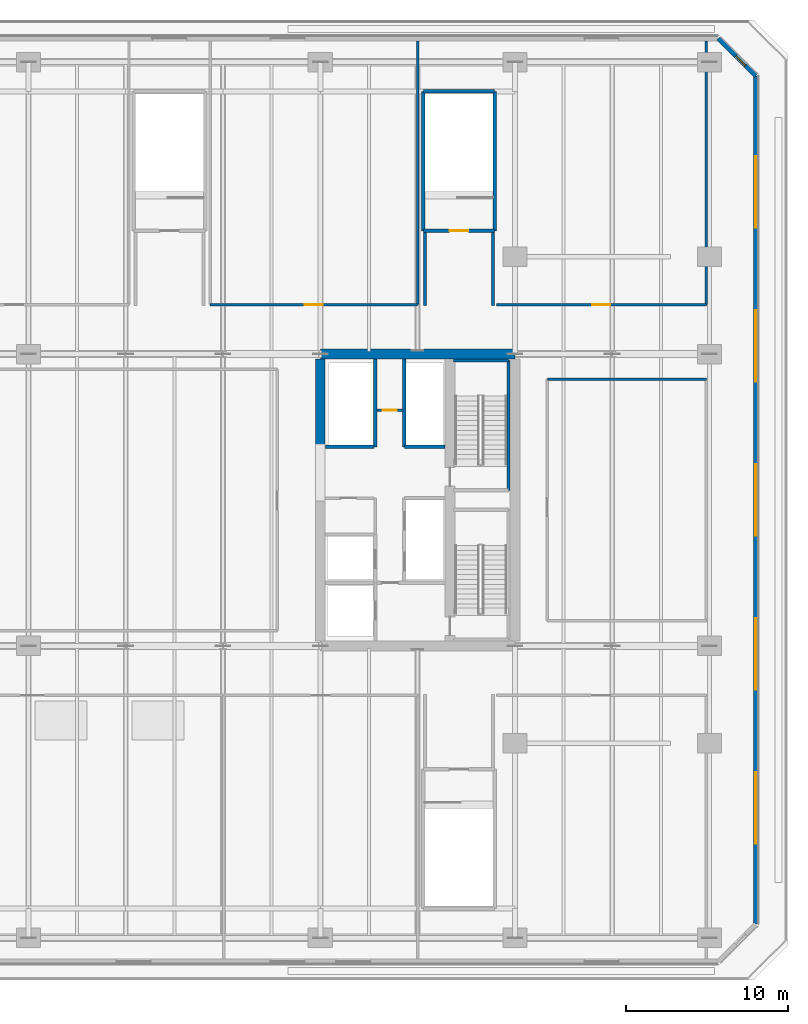
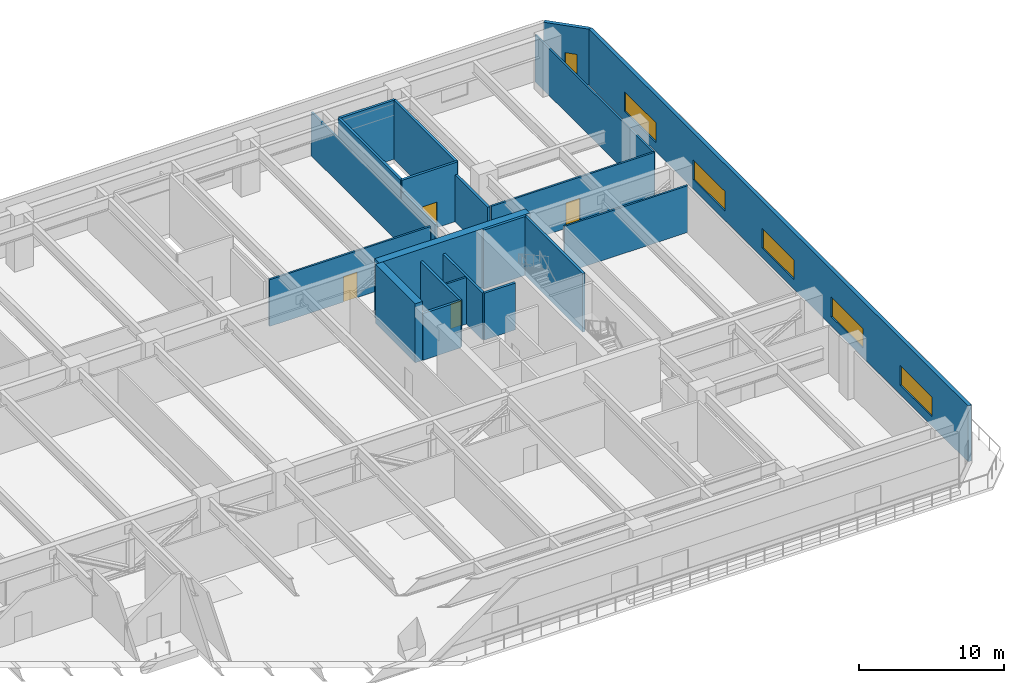
# One storey, part 15 of 25: 22 walls, 6 windows, 4 doors, 10 openings.
"""IFC4 building model written with IfcOpenShell, lengths in metres."""

from ifc_helpers import new_model, si_unit, direction, frame, frame_2d, origin, place, context, subcontext, project, spatial, rectangle, extrude, material, layer, layer_set, type_object, element, fill, save


model = new_model("IFC4")

# Units and contexts
model_context = context("Model", 3, precision=1e-05, world=origin(), true_north=direction((0.0, 1.0)))
body_context = subcontext(model_context, "Body", "Model", "MODEL_VIEW")
ifc_project = project(units=[si_unit("LENGTHUNIT", "METRE"), si_unit("AREAUNIT", "SQUARE_METRE"), si_unit("VOLUMEUNIT", "CUBIC_METRE"), si_unit("PLANEANGLEUNIT", "RADIAN"), si_unit("MASSUNIT", "GRAM", prefix="KILO")], contexts=[model_context])

# Site, building, storey
site_placement = place(None, origin())
site = spatial("IfcSite", under=ifc_project, at=site_placement, CompositionType="ELEMENT")
building_placement = place(site_placement, origin())
building = spatial("IfcBuilding", under=site, at=building_placement, Name="Tanjung Sevakor Pilgrim Tower", CompositionType="ELEMENT")
storey_placement = place(building_placement, frame((0.0, 0.0, 24.090087890625)))
storey = spatial("IfcBuildingStorey", under=building, at=storey_placement, Name="L06", CompositionType="ELEMENT", Elevation=24.090087890625)

# Walls
ifc_material_1 = material(Name="Concrete C60/75", Category="concrete")
ifc_layer_1 = layer(ifc_material_1, 0.60009765625)
ifc_layer_set_1 = layer_set([ifc_layer_1], Name="WALL-CW-600")
wall_type_1 = type_object("IfcWallType", Name="WALL-CW-600", PredefinedType="SHEAR", material=ifc_layer_set_1)
wall_1_placement = place(storey_placement, frame((90.0, 42.60009765625, 0.0), z_axis=(0.0, 0.0, 1.0), x_axis=(-1.0, 0.0, 0.0)))
element("IfcWall", 1, at=wall_1_placement, inside=storey, type_object=wall_type_1, Name="L06 E Core North Shear Wall", PredefinedType="SHEAR", context=body_context, shape_type="SweptSolid", body=[
    extrude(rectangle(XDim=12.0, YDim=0.60009765625, at=frame_2d((6.0, 0.0))), origin(), (0.0, 0.0, 1.0), 4.949951171875),
])
wall_2_placement = place(storey_placement, frame((78.0, 36.800048828125, 0.0), z_axis=(0.0, 0.0, 1.0), x_axis=(0.0, 1.0, 0.0)))
element("IfcWall", 2, at=wall_2_placement, inside=storey, type_object=wall_type_1, Name="L06 E Core Inner Shear Wall North", PredefinedType="SHEAR", context=body_context, shape_type="SweptSolid", body=[
    extrude(rectangle(XDim=5.5, YDim=0.60009765625, at=frame_2d((2.75, 0.0))), origin(), (0.0, 0.0, 1.0), 4.949951171875),
])

# Wall, opening, door
ifc_material_2 = material(Name="Concrete C40/50", Category="concrete")
ifc_layer_2 = layer(ifc_material_2, 0.14990234375)
ifc_layer_set_2 = layer_set([ifc_layer_2], Name="WT-COMP-150")
wall_type_2 = type_object("IfcWallType", Name="WT-COMP-150", PredefinedType="SOLIDWALL", material=ifc_layer_set_2)
wall_3_placement = place(storey_placement, frame((81.5, 39.1298828125, 0.0), z_axis=(0.0, 0.0, 1.0), x_axis=(1.0, 0.0, 0.0)))
wall_3 = element("IfcWall", 3, at=wall_3_placement, inside=storey, type_object=wall_type_2, Name="L06 Partition IW-L06-016", PredefinedType="SOLIDWALL", context=body_context, shape_type="SweptSolid", body=[
    extrude(rectangle(XDim=1.60009765625, YDim=0.14990234375, at=frame_2d((0.800048828125, 0.0))), origin(), (0.0, 0.0, 1.0), 3.929931640625),
])
opening_1_placement = place(wall_3_placement, frame((0.35009765625, 0.0, 0.0)))
opening_1 = element("IfcOpeningElement", 4, at=opening_1_placement, cuts=wall_3, Name="Opening ID-FD3", PredefinedType="OPENING", context=body_context, shape_type="SweptSolid", body=[
    extrude(rectangle(XDim=0.85009765625, YDim=2.10009765625, at=frame_2d((0.425048828125, 1.050048828125))), frame((0.0, 0.0849609375, 0.0), z_axis=(0.0, -1.0, 0.0), x_axis=(1.0, 0.0, 0.0)), (0.0, 0.0, 1.0), 0.169921875),
])
ifc_material_3 = material(Name="Fire-Rated Timber", Category="wood")
door_type_1 = type_object("IfcDoorType", Name="DT-FIRE-850", OperationType="NOTDEFINED", PredefinedType="DOOR", material=ifc_material_3)
door_1_placement = place(opening_1_placement, origin())
door_1 = element("IfcDoor", 5, at=door_1_placement, inside=storey, type_object=door_type_1, Name="L06 North Core Store Door", OperationType="SINGLE_SWING_LEFT", OverallHeight=2.10009765625, OverallWidth=0.85009765625, PredefinedType="DOOR", context=body_context, shape_type="SweptSolid", body=[
    extrude(rectangle(XDim=0.85009765625, YDim=2.10009765625, at=frame_2d((0.425048828125, 1.050048828125))), frame((0.0, 0.02490234375, 0.0), z_axis=(0.0, -1.0, 0.0), x_axis=(1.0, 0.0, 0.0)), (0.0, 0.0, 1.0), 0.050048828125),
])
fill(opening_1, door_1)

wall_4_placement = place(storey_placement, frame((71.199951171875, 45.64990234375, 0.0), z_axis=(0.0, 0.0, 1.0), x_axis=(1.0, 0.0, 0.0)))
wall_4 = element("IfcWall", 6, at=wall_4_placement, inside=storey, type_object=wall_type_2, Name="L06 Partition IW-L06-051", PredefinedType="SOLIDWALL", context=body_context, shape_type="SweptSolid", body=[
    extrude(rectangle(XDim=12.800048828125, YDim=0.14990234375, at=frame_2d((6.39990234375, 0.0))), origin(), (0.0, 0.0, 1.0), 3.929931640625),
])
opening_2_placement = place(wall_4_placement, frame((5.85009765625, 0.0, 0.0)))
opening_2 = element("IfcOpeningElement", 7, at=opening_2_placement, cuts=wall_4, Name="Opening ID-RM2", PredefinedType="OPENING", context=body_context, shape_type="SweptSolid", body=[
    extrude(rectangle(XDim=1.10009765625, YDim=2.14990234375, at=frame_2d((0.550048828125, 1.074951171875))), frame((0.0, 0.0849609375, 0.0), z_axis=(0.0, -1.0, 0.0), x_axis=(1.0, 0.0, 0.0)), (0.0, 0.0, 1.0), 0.169921875),
])
ifc_material_4 = material(Name="Hardwood Timber", Category="wood")
door_type_2 = type_object("IfcDoorType", Name="DT-INT-1100", OperationType="NOTDEFINED", PredefinedType="DOOR", material=ifc_material_4)
door_2_placement = place(opening_2_placement, origin())
door_2 = element("IfcDoor", 8, at=door_2_placement, inside=storey, type_object=door_type_2, Name="L06 Observatory Door", OperationType="SINGLE_SWING_LEFT", OverallHeight=2.14990234375, OverallWidth=1.10009765625, PredefinedType="DOOR", context=body_context, shape_type="SweptSolid", body=[
    extrude(rectangle(XDim=1.10009765625, YDim=2.14990234375, at=frame_2d((0.550048828125, 1.074951171875))), frame((0.0, 0.02490234375, 0.0), z_axis=(0.0, -1.0, 0.0), x_axis=(1.0, 0.0, 0.0)), (0.0, 0.0, 1.0), 0.050048828125),
])
fill(opening_2, door_2)

# Walls
wall_5_placement = place(storey_placement, frame((84.0, 45.64990234375, 0.0), z_axis=(0.0, 0.0, 1.0), x_axis=(0.0, 1.0, 0.0)))
element("IfcWall", 9, at=wall_5_placement, inside=storey, type_object=wall_type_2, Name="L06 Partition IW-L06-053", PredefinedType="SOLIDWALL", context=body_context, shape_type="SweptSolid", body=[
    extrude(rectangle(XDim=16.27001953125, YDim=0.14990234375, at=frame_2d((8.135009765625, 0.0))), origin(), (0.0, 0.0, 1.0), 3.68701171875),
])
wall_6_placement = place(storey_placement, frame((92.0, 41.050048828125, 0.0), z_axis=(0.0, 0.0, 1.0), x_axis=(1.0, 0.0, 0.0)))
element("IfcWall", 10, at=wall_6_placement, inside=storey, type_object=wall_type_2, Name="L06 Partition IW-L06-066", PredefinedType="SOLIDWALL", context=body_context, shape_type="SweptSolid", body=[
    extrude(rectangle(XDim=9.800048828125, YDim=0.14990234375, at=frame_2d((4.89990234375, 0.0))), origin(), (0.0, 0.0, 1.0), 3.929931640625),
])

# Wall, opening, door
wall_7_placement = place(storey_placement, frame((88.85009765625, 45.64990234375, 0.0), z_axis=(0.0, 0.0, 1.0), x_axis=(1.0, 0.0, 0.0)))
wall_7 = element("IfcWall", 11, at=wall_7_placement, inside=storey, type_object=wall_type_2, Name="L06 Partition IW-L06-077", PredefinedType="SOLIDWALL", context=body_context, shape_type="SweptSolid", body=[
    extrude(rectangle(XDim=12.949951171875, YDim=0.14990234375, at=frame_2d((6.47509765625, 0.0))), origin(), (0.0, 0.0, 1.0), 3.929931640625),
])
opening_3_placement = place(wall_7_placement, frame((5.925048828125, 0.0, 0.0)))
opening_3 = element("IfcOpeningElement", 12, at=opening_3_placement, cuts=wall_7, Name="Opening ID-RM2", PredefinedType="OPENING", context=body_context, shape_type="SweptSolid", body=[
    extrude(rectangle(XDim=1.10009765625, YDim=2.14990234375, at=frame_2d((0.550048828125, 1.074951171875))), frame((0.0, 0.0849609375, 0.0), z_axis=(0.0, -1.0, 0.0), x_axis=(1.0, 0.0, 0.0)), (0.0, 0.0, 1.0), 0.169921875),
])
door_3_placement = place(opening_3_placement, origin())
door_3 = element("IfcDoor", 13, at=door_3_placement, inside=storey, type_object=door_type_2, Name="L06 NE Lounge Door", OperationType="SINGLE_SWING_LEFT", OverallHeight=2.14990234375, OverallWidth=1.10009765625, PredefinedType="DOOR", context=body_context, shape_type="SweptSolid", body=[
    extrude(rectangle(XDim=1.10009765625, YDim=2.14990234375, at=frame_2d((0.550048828125, 1.074951171875))), frame((0.0, 0.02490234375, 0.0), z_axis=(0.0, -1.0, 0.0), x_axis=(1.0, 0.0, 0.0)), (0.0, 0.0, 1.0), 0.050048828125),
])
fill(opening_3, door_3)

# Wall
wall_8_placement = place(storey_placement, frame((101.800048828125, 45.64990234375, 0.0), z_axis=(0.0, 0.0, 1.0), x_axis=(0.0, 1.0, 0.0)))
element("IfcWall", 14, at=wall_8_placement, inside=storey, type_object=wall_type_2, Name="L06 Partition IW-L06-078", PredefinedType="SOLIDWALL", context=body_context, shape_type="SweptSolid", body=[
    extrude(rectangle(XDim=16.27001953125, YDim=0.14990234375, at=frame_2d((8.135009765625, 0.0))), origin(), (0.0, 0.0, 1.0), 3.929931640625),
])

# Wall, openings, windows
ifc_material_5 = material(Name="Precast concrete C45/55", Category="concrete")
ifc_layer_3 = layer(ifc_material_5, 0.280029296875)
ifc_layer_set_3 = layer_set([ifc_layer_3], Name="WT-EW-STN2")
wall_type_3 = type_object("IfcWallType", Name="WT-EW-STN2", PredefinedType="SOLIDWALL", material=ifc_layer_set_3)
wall_9_placement = place(storey_placement, frame((104.860107421875, 7.4580078125, 0.0), z_axis=(0.0, 0.0, 1.0), x_axis=(0.0, 1.0, 0.0)))
wall_9 = element("IfcWall", 15, at=wall_9_placement, inside=storey, type_object=wall_type_3, Name="L06 MAIN Exterior Wall 3", PredefinedType="SOLIDWALL", context=body_context, shape_type="SweptSolid", body=[
    extrude(rectangle(XDim=52.283935546875, YDim=0.280029296875, at=frame_2d((26.14208984375, 0.0))), origin(), (0.0, 0.0, 1.0), 4.7099609375),
])
opening_4_placement = place(wall_9_placement, frame((23.94189453125, 0.0, 0.780029296875)))
opening_4 = element("IfcOpeningElement", 16, at=opening_4_placement, cuts=wall_9, Name="Opening WN-ENDW-1660", PredefinedType="OPENING", context=body_context, shape_type="SweptSolid", body=[
    extrude(rectangle(XDim=4.39990234375, YDim=1.659912109375, at=frame_2d((2.199951171875, 0.830078125))), frame((0.0, 0.14990234375, 0.0), z_axis=(0.0, -1.0, 0.0), x_axis=(1.0, 0.0, 0.0)), (0.0, 0.0, 1.0), 0.300048828125),
])
opening_5_placement = place(wall_9_placement, frame((4.94189453125, 0.0, 0.780029296875)))
opening_5 = element("IfcOpeningElement", 17, at=opening_5_placement, cuts=wall_9, Name="Opening WN-ENDW-1660", PredefinedType="OPENING", context=body_context, shape_type="SweptSolid", body=[
    extrude(rectangle(XDim=4.39990234375, YDim=1.659912109375, at=frame_2d((2.199951171875, 0.830078125))), frame((0.0, 0.14990234375, 0.0), z_axis=(0.0, -1.0, 0.0), x_axis=(1.0, 0.0, 0.0)), (0.0, 0.0, 1.0), 0.300048828125),
])
opening_6_placement = place(wall_9_placement, frame((14.44189453125, 0.0, 0.780029296875)))
opening_6 = element("IfcOpeningElement", 18, at=opening_6_placement, cuts=wall_9, Name="Opening WN-ENDW-1660", PredefinedType="OPENING", context=body_context, shape_type="SweptSolid", body=[
    extrude(rectangle(XDim=4.39990234375, YDim=1.659912109375, at=frame_2d((2.199951171875, 0.830078125))), frame((0.0, 0.14990234375, 0.0), z_axis=(0.0, -1.0, 0.0), x_axis=(1.0, 0.0, 0.0)), (0.0, 0.0, 1.0), 0.300048828125),
])
opening_7_placement = place(wall_9_placement, frame((33.44189453125, 0.0, 0.780029296875)))
opening_7 = element("IfcOpeningElement", 19, at=opening_7_placement, cuts=wall_9, Name="Opening WN-ENDW-1660", PredefinedType="OPENING", context=body_context, shape_type="SweptSolid", body=[
    extrude(rectangle(XDim=4.39990234375, YDim=1.659912109375, at=frame_2d((2.199951171875, 0.830078125))), frame((0.0, 0.14990234375, 0.0), z_axis=(0.0, -1.0, 0.0), x_axis=(1.0, 0.0, 0.0)), (0.0, 0.0, 1.0), 0.300048828125),
])
opening_8_placement = place(wall_9_placement, frame((42.94189453125, 0.0, 0.780029296875)))
opening_8 = element("IfcOpeningElement", 20, at=opening_8_placement, cuts=wall_9, Name="Opening WN-ENDW-1660", PredefinedType="OPENING", context=body_context, shape_type="SweptSolid", body=[
    extrude(rectangle(XDim=4.39990234375, YDim=1.659912109375, at=frame_2d((2.199951171875, 0.830078125))), frame((0.0, 0.14990234375, 0.0), z_axis=(0.0, -1.0, 0.0), x_axis=(1.0, 0.0, 0.0)), (0.0, 0.0, 1.0), 0.300048828125),
])
ifc_material_6 = material(Name="Thermally Broken Aluminium and Low-E Glass", Category="aluminium")
window_type_1 = type_object("IfcWindowType", Name="WTYP-WN-ENDW-1660", PartitioningType="DOUBLE_PANEL_VERTICAL", PredefinedType="WINDOW", material=ifc_material_6)
window_1_placement = place(opening_4_placement, origin())
window_1 = element("IfcWindow", 21, at=window_1_placement, inside=storey, type_object=window_type_1, Name="L06 Facade Window 01", OverallHeight=1.659912109375, OverallWidth=4.39990234375, PartitioningType="SINGLE_PANEL", PredefinedType="WINDOW", context=body_context, shape_type="SweptSolid", body=[
    extrude(rectangle(XDim=4.39990234375, YDim=1.659912109375, at=frame_2d((2.199951171875, 0.830078125))), frame((0.0, 0.030029296875, 0.0), z_axis=(0.0, -1.0, 0.0), x_axis=(1.0, 0.0, 0.0)), (0.0, 0.0, 1.0), 0.06005859375),
])
fill(opening_4, window_1)
window_2_placement = place(opening_5_placement, origin())
window_2 = element("IfcWindow", 22, at=window_2_placement, inside=storey, type_object=window_type_1, Name="L06 Facade Window 02", OverallHeight=1.659912109375, OverallWidth=4.39990234375, PartitioningType="SINGLE_PANEL", PredefinedType="WINDOW", context=body_context, shape_type="SweptSolid", body=[
    extrude(rectangle(XDim=4.39990234375, YDim=1.659912109375, at=frame_2d((2.199951171875, 0.830078125))), frame((0.0, 0.030029296875, 0.0), z_axis=(0.0, -1.0, 0.0), x_axis=(1.0, 0.0, 0.0)), (0.0, 0.0, 1.0), 0.06005859375),
])
fill(opening_5, window_2)
window_3_placement = place(opening_6_placement, origin())
window_3 = element("IfcWindow", 23, at=window_3_placement, inside=storey, type_object=window_type_1, Name="L06 Facade Window 03", OverallHeight=1.659912109375, OverallWidth=4.39990234375, PartitioningType="SINGLE_PANEL", PredefinedType="WINDOW", context=body_context, shape_type="SweptSolid", body=[
    extrude(rectangle(XDim=4.39990234375, YDim=1.659912109375, at=frame_2d((2.199951171875, 0.830078125))), frame((0.0, 0.030029296875, 0.0), z_axis=(0.0, -1.0, 0.0), x_axis=(1.0, 0.0, 0.0)), (0.0, 0.0, 1.0), 0.06005859375),
])
fill(opening_6, window_3)
window_4_placement = place(opening_7_placement, origin())
window_4 = element("IfcWindow", 24, at=window_4_placement, inside=storey, type_object=window_type_1, Name="L06 Facade Window 04", OverallHeight=1.659912109375, OverallWidth=4.39990234375, PartitioningType="SINGLE_PANEL", PredefinedType="WINDOW", context=body_context, shape_type="SweptSolid", body=[
    extrude(rectangle(XDim=4.39990234375, YDim=1.659912109375, at=frame_2d((2.199951171875, 0.830078125))), frame((0.0, 0.030029296875, 0.0), z_axis=(0.0, -1.0, 0.0), x_axis=(1.0, 0.0, 0.0)), (0.0, 0.0, 1.0), 0.06005859375),
])
fill(opening_7, window_4)
window_5_placement = place(opening_8_placement, origin())
window_5 = element("IfcWindow", 25, at=window_5_placement, inside=storey, type_object=window_type_1, Name="L06 Facade Window 05", OverallHeight=1.659912109375, OverallWidth=4.39990234375, PartitioningType="SINGLE_PANEL", PredefinedType="WINDOW", context=body_context, shape_type="SweptSolid", body=[
    extrude(rectangle(XDim=4.39990234375, YDim=1.659912109375, at=frame_2d((2.199951171875, 0.830078125))), frame((0.0, 0.030029296875, 0.0), z_axis=(0.0, -1.0, 0.0), x_axis=(1.0, 0.0, 0.0)), (0.0, 0.0, 1.0), 0.06005859375),
])
fill(opening_8, window_5)

# Wall, opening, window
wall_10_placement = place(storey_placement, frame((104.860107421875, 59.741943359375, 0.0), z_axis=(0.0, 0.0, 1.0), x_axis=(-0.707106781187, 0.707106781187, 0.0)))
wall_10 = element("IfcWall", 26, at=wall_10_placement, inside=storey, type_object=wall_type_3, Name="L06 MAIN Exterior Wall 4", PredefinedType="SOLIDWALL", context=body_context, shape_type="SweptSolid", body=[
    extrude(rectangle(XDim=3.2783203125, YDim=0.280029296875, at=frame_2d((1.63916015625, 0.0))), origin(), (0.0, 0.0, 1.0), 4.7099609375),
])
opening_9_placement = place(wall_10_placement, frame((0.89404296875, 0.0, 0.780029296875)))
opening_9 = element("IfcOpeningElement", 27, at=opening_9_placement, cuts=wall_10, Name="Opening WN-SLM", PredefinedType="OPENING", context=body_context, shape_type="SweptSolid", body=[
    extrude(rectangle(XDim=0.85009765625, YDim=1.64990234375, at=frame_2d((0.425048828125, 0.824951171875))), frame((0.0, 0.14990234375, 0.0), z_axis=(0.0, -1.0, 0.0), x_axis=(1.0, 0.0, 0.0)), (0.0, 0.0, 1.0), 0.300048828125),
])
ifc_material_7 = material(Name="Thermally Broken Aluminium and Low-E Glass", Category="aluminium")
window_type_2 = type_object("IfcWindowType", Name="WTYP-WN-SLM", PartitioningType="SINGLE_PANEL", PredefinedType="WINDOW", material=ifc_material_7)
window_6_placement = place(opening_9_placement, origin())
window_6 = element("IfcWindow", 28, at=window_6_placement, inside=storey, type_object=window_type_2, Name="L06 Facade Window 01", OverallHeight=1.64990234375, OverallWidth=0.85009765625, PartitioningType="SINGLE_PANEL", PredefinedType="WINDOW", context=body_context, shape_type="SweptSolid", body=[
    extrude(rectangle(XDim=0.85009765625, YDim=1.64990234375, at=frame_2d((0.425048828125, 0.824951171875))), frame((0.0, 0.030029296875, 0.0), z_axis=(0.0, -1.0, 0.0), x_axis=(1.0, 0.0, 0.0)), (0.0, 0.0, 1.0), 0.06005859375),
])
fill(opening_9, window_6)

# Walls
ifc_material_8 = material(Name="Concrete C40/50", Category="concrete")
ifc_layer_4 = layer(ifc_material_8, 0.199951171875)
ifc_layer_set_4 = layer_set([ifc_layer_4], Name="WT-FIRE-200")
wall_type_4 = type_object("IfcWallType", Name="WT-FIRE-200", PredefinedType="SOLIDWALL", material=ifc_layer_set_4)
wall_11_placement = place(storey_placement, frame((89.60009765625, 34.199951171875, 0.0), z_axis=(0.0, 0.0, 1.0), x_axis=(0.0, 1.0, 0.0)))
element("IfcWall", 29, at=wall_11_placement, inside=storey, type_object=wall_type_4, Name="L06 TS-E2 Shaft Wall 2", PredefinedType="SOLIDWALL", context=body_context, shape_type="SweptSolid", body=[
    extrude(rectangle(XDim=8.0, YDim=0.199951171875, at=frame_2d((4.0, 0.0))), origin(), (0.0, 0.0, 1.0), 4.949951171875),
])
wall_12_placement = place(storey_placement, frame((89.60009765625, 42.199951171875, 0.0), z_axis=(0.0, 0.0, 1.0), x_axis=(-1.0, 0.0, 0.0)))
element("IfcWall", 30, at=wall_12_placement, inside=storey, type_object=wall_type_4, Name="L06 TS-E2 Shaft Wall 3", PredefinedType="SOLIDWALL", context=body_context, shape_type="SweptSolid", body=[
    extrude(rectangle(XDim=3.400146484375, YDim=0.199951171875, at=frame_2d((1.7001953125, 0.0))), origin(), (0.0, 0.0, 1.0), 4.949951171875),
])

# Wall, opening, door
wall_13_placement = place(storey_placement, frame((84.35009765625, 50.199951171875, 0.0), z_axis=(0.0, 0.0, 1.0), x_axis=(1.0, 0.0, 0.0)))
wall_13 = element("IfcWall", 31, at=wall_13_placement, inside=storey, type_object=wall_type_4, Name="L06 PS-6 Shaft Wall 1", PredefinedType="SOLIDWALL", context=body_context, shape_type="SweptSolid", body=[
    extrude(rectangle(XDim=4.39990234375, YDim=0.199951171875, at=frame_2d((2.199951171875, 0.0))), origin(), (0.0, 0.0, 1.0), 4.949951171875),
])
opening_10_placement = place(wall_13_placement, frame((1.625, 0.0, 0.0)))
opening_10 = element("IfcOpeningElement", 32, at=opening_10_placement, cuts=wall_13, Name="Opening ID-ST1", PredefinedType="OPENING", context=body_context, shape_type="SweptSolid", body=[
    extrude(rectangle(XDim=1.14990234375, YDim=2.14990234375, at=frame_2d((0.574951171875, 1.074951171875))), frame((0.0, 0.10986328125, 0.0), z_axis=(0.0, -1.0, 0.0), x_axis=(1.0, 0.0, 0.0)), (0.0, 0.0, 1.0), 0.219970703125),
])
ifc_material_9 = material(Name="Fire-Rated Steel S355J2", Category="steel")
door_type_3 = type_object("IfcDoorType", Name="DT-FIRE-1150", OperationType="NOTDEFINED", PredefinedType="DOOR", material=ifc_material_9)
door_4_placement = place(opening_10_placement, origin())
door_4 = element("IfcDoor", 33, at=door_4_placement, inside=storey, type_object=door_type_3, Name="L06 PS-6 Stair Entry Fire Door", OperationType="SINGLE_SWING_LEFT", OverallHeight=2.14990234375, OverallWidth=1.14990234375, PredefinedType="DOOR", context=body_context, shape_type="SweptSolid", body=[
    extrude(rectangle(XDim=1.14990234375, YDim=2.14990234375, at=frame_2d((0.574951171875, 1.074951171875))), frame((0.0, 0.02490234375, 0.0), z_axis=(0.0, -1.0, 0.0), x_axis=(1.0, 0.0, 0.0)), (0.0, 0.0, 1.0), 0.050048828125),
])
fill(opening_10, door_4)

# Walls
wall_14_placement = place(storey_placement, frame((88.75, 50.199951171875, 0.0), z_axis=(0.0, 0.0, 1.0), x_axis=(0.0, 1.0, 0.0)))
element("IfcWall", 34, at=wall_14_placement, inside=storey, type_object=wall_type_4, Name="L06 PS-6 Shaft Wall 2", PredefinedType="SOLIDWALL", context=body_context, shape_type="SweptSolid", body=[
    extrude(rectangle(XDim=8.60009765625, YDim=0.199951171875, at=frame_2d((4.300048828125, 0.0))), origin(), (0.0, 0.0, 1.0), 4.949951171875),
])
wall_15_placement = place(storey_placement, frame((88.75, 58.800048828125, 0.0), z_axis=(0.0, 0.0, 1.0), x_axis=(-1.0, 0.0, 0.0)))
element("IfcWall", 35, at=wall_15_placement, inside=storey, type_object=wall_type_4, Name="L06 PS-6 Shaft Wall 3", PredefinedType="SOLIDWALL", context=body_context, shape_type="SweptSolid", body=[
    extrude(rectangle(XDim=4.39990234375, YDim=0.199951171875, at=frame_2d((2.199951171875, 0.0))), origin(), (0.0, 0.0, 1.0), 4.949951171875),
])
wall_16_placement = place(storey_placement, frame((84.35009765625, 58.800048828125, 0.0), z_axis=(0.0, 0.0, 1.0), x_axis=(0.0, -1.0, 0.0)))
element("IfcWall", 36, at=wall_16_placement, inside=storey, type_object=wall_type_4, Name="L06 PS-6 Shaft Wall 4", PredefinedType="SOLIDWALL", context=body_context, shape_type="SweptSolid", body=[
    extrude(rectangle(XDim=8.60009765625, YDim=0.199951171875, at=frame_2d((4.300048828125, 0.0))), origin(), (0.0, 0.0, 1.0), 4.949951171875),
])
ifc_material_10 = material(Name="Concrete C40/50", Category="concrete")
ifc_layer_5 = layer(ifc_material_10, 0.199951171875)
ifc_layer_set_5 = layer_set([ifc_layer_5], Name="WT-FPRT-200")
wall_type_5 = type_object("IfcWallType", Name="WT-FPRT-200", PredefinedType="SOLIDWALL", material=ifc_layer_set_5)
wall_17_placement = place(storey_placement, frame((83.199951171875, 36.8798828125, 0.0), z_axis=(0.0, 0.0, 1.0), x_axis=(1.0, 0.0, 0.0)))
element("IfcWall", 37, at=wall_17_placement, inside=storey, type_object=wall_type_5, Name="L06 Partition IW-L06-023", PredefinedType="SOLIDWALL", context=body_context, shape_type="SweptSolid", body=[
    extrude(rectangle(XDim=2.47998046875, YDim=0.199951171875, at=frame_2d((1.239990234375, 0.0))), origin(), (0.0, 0.0, 1.0), 3.929931640625),
])
wall_18_placement = place(storey_placement, frame((83.179931640625, 36.8798828125, 0.0), z_axis=(0.0, 0.0, 1.0), x_axis=(0.0, 1.0, 0.0)))
element("IfcWall", 38, at=wall_18_placement, inside=storey, type_object=wall_type_5, Name="L06 Partition IW-L06-024", PredefinedType="SOLIDWALL", context=body_context, shape_type="SweptSolid", body=[
    extrude(rectangle(XDim=5.420166015625, YDim=0.199951171875, at=frame_2d((2.7099609375, 0.0))), origin(), (0.0, 0.0, 1.0), 3.929931640625),
])
wall_19_placement = place(storey_placement, frame((78.320068359375, 36.8798828125, 0.0), z_axis=(0.0, 0.0, 1.0), x_axis=(1.0, 0.0, 0.0)))
element("IfcWall", 39, at=wall_19_placement, inside=storey, type_object=wall_type_5, Name="L06 Partition IW-L06-025", PredefinedType="SOLIDWALL", context=body_context, shape_type="SweptSolid", body=[
    extrude(rectangle(XDim=3.0, YDim=0.199951171875, at=frame_2d((1.5, 0.0))), origin(), (0.0, 0.0, 1.0), 3.929931640625),
])
wall_20_placement = place(storey_placement, frame((81.3798828125, 36.8798828125, 0.0), z_axis=(0.0, 0.0, 1.0), x_axis=(0.0, 1.0, 0.0)))
element("IfcWall", 40, at=wall_20_placement, inside=storey, type_object=wall_type_5, Name="L06 Partition IW-L06-026", PredefinedType="SOLIDWALL", context=body_context, shape_type="SweptSolid", body=[
    extrude(rectangle(XDim=5.420166015625, YDim=0.199951171875, at=frame_2d((2.7099609375, 0.0))), origin(), (0.0, 0.0, 1.0), 3.929931640625),
])
for number, where, z_axis, x_axis, name in (
    (41, (84.449951171875, 45.60009765625, 0.0), (0.0, 0.0, 1.0), (0.0, 1.0, 0.0), "L06 Partition IW-L06-037"),
    (42, (88.64990234375, 45.60009765625, 0.0), (0.0, 0.0, 1.0), (0.0, 1.0, 0.0), "L06 Partition IW-L06-038"),
):
    element("IfcWall", number, at=place(storey_placement, frame(where, z_axis=z_axis, x_axis=x_axis)), inside=storey, type_object=wall_type_5, Name=name, PredefinedType="SOLIDWALL", context=body_context, shape_type="SweptSolid", body=[
        extrude(rectangle(XDim=4.599853515625, YDim=0.199951171875, at=frame_2d((2.2998046875, 0.0))), origin(), (0.0, 0.0, 1.0), 3.929931640625),
    ])

save(model, "model.ifc")
